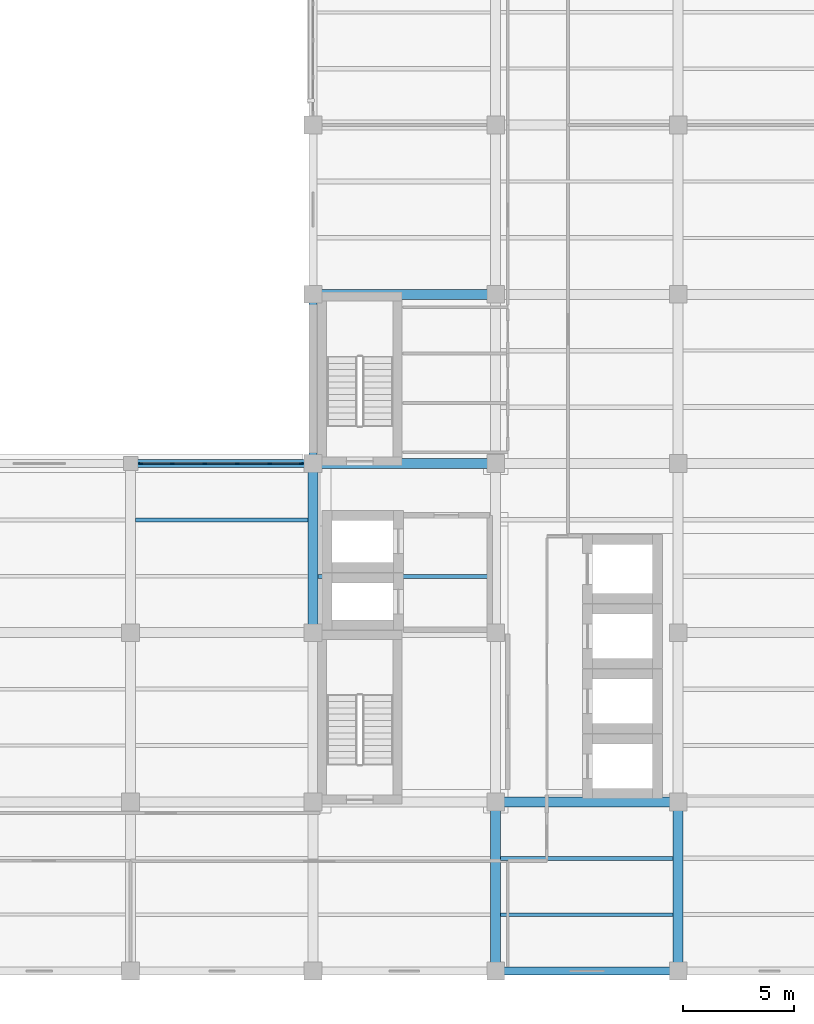
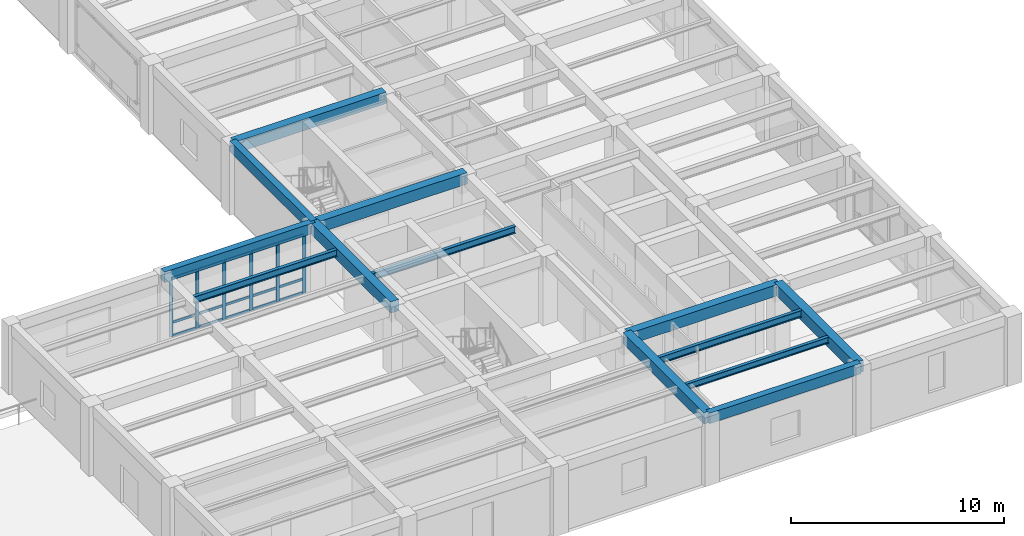
# One storey, part 2 of 14: 21 members, 13 beams, 1 element without a shape of its own.
"""IFC4 building model written with IfcOpenShell, lengths in metres."""

from ifc_helpers import new_model, si_unit, direction, frame, origin, origin_2d, place, context, subcontext, project, spatial, rectangle, i_section, extrude, material, material_profile, profile_set, type_object, element, aggregate, save


model = new_model("IFC4")

# Units and contexts
model_context = context("Model", 3, precision=1e-05, world=origin(), true_north=direction((0.0, 1.0)))
body_context = subcontext(model_context, "Body", "Model", "MODEL_VIEW")
ifc_project = project(units=[si_unit("LENGTHUNIT", "METRE"), si_unit("AREAUNIT", "SQUARE_METRE"), si_unit("VOLUMEUNIT", "CUBIC_METRE"), si_unit("PLANEANGLEUNIT", "RADIAN"), si_unit("MASSUNIT", "GRAM", prefix="KILO")], contexts=[model_context])

# Site, building, storey
site_placement = place(None, origin())
site = spatial("IfcSite", under=ifc_project, at=site_placement, CompositionType="ELEMENT")
building_placement = place(site_placement, origin())
building = spatial("IfcBuilding", under=site, at=building_placement, Name="Qandaris Square Conservatory and Botanical Centre", CompositionType="ELEMENT")
storey_placement = place(building_placement, frame((0.0, 0.0, 36.60009765625)))
storey = spatial("IfcBuildingStorey", under=building, at=storey_placement, Name="L08", CompositionType="ELEMENT", Elevation=36.60009765625)

# Beams
ifc_material_1 = material(Name="Steel S355", Category="steel")
ifc_material_profile_1 = material_profile(ifc_material_1, i_section(OverallWidth=0.169921875, OverallDepth=0.360107421875, WebThickness=0.008056640625, FlangeThickness=0.0126953125, FilletRadius=0.01806640625, at=origin_2d()), Name="IPE 360")
ifc_profile_set_1 = profile_set([ifc_material_profile_1], Name="Steel S355")
beam_type_1 = type_object("IfcBeamType", Name="Composite Lab Joist IPE 360", PredefinedType="JOIST", material=ifc_profile_set_1)
beam_1_placement = place(storey_placement, frame((147.625, 19.13330078125, 3.760009765625), z_axis=(1.0, 0.0, 0.0), x_axis=(0.0, 1.0, 0.0)))
element("IfcBeam", 1, at=beam_1_placement, inside=storey, type_object=beam_type_1, Name="L08 Composite Joist 2296", PredefinedType="JOIST", context=body_context, shape_type="SweptSolid", body=[
    extrude(i_section(OverallWidth=0.169921875, OverallDepth=0.360107421875, WebThickness=0.008056640625, FlangeThickness=0.0126953125, FilletRadius=0.01806640625, at=origin_2d()), origin(), (0.0, 0.0, 1.0), 7.75),
])
ifc_material_profile_2 = material_profile(ifc_material_1, i_section(OverallWidth=0.179931640625, OverallDepth=0.39990234375, WebThickness=0.008544921875, FlangeThickness=0.013427734375, FilletRadius=0.02099609375, at=origin_2d()), Name="IPE 400")
ifc_profile_set_2 = profile_set([ifc_material_profile_2], Name="Steel S355")
beam_type_2 = type_object("IfcBeamType", Name="Composite Plinth Joist IPE 400", PredefinedType="JOIST", material=ifc_profile_set_2)
for number, where, z_axis, x_axis, name in (
    (2, (131.22509765625, 36.86669921875, 3.739990234375), (1.0, 0.0, 0.0), (0.0, 1.0, 0.0), "L08 Composite Joist 2286"),
    (3, (139.425048828125, 34.333251953125, 3.739990234375), (1.0, 0.0, 0.0), (0.0, 1.0, 0.0), "L08 Composite Joist 2289"),
    (4, (147.625, 21.666748046875, 3.739990234375), (1.0, 0.0, 0.0), (0.0, 1.0, 0.0), "L08 Composite Joist 2297"),
):
    element("IfcBeam", number, at=place(storey_placement, frame(where, z_axis=z_axis, x_axis=x_axis)), inside=storey, type_object=beam_type_2, Name=name, PredefinedType="JOIST", context=body_context, shape_type="SweptSolid", body=[
        extrude(i_section(OverallWidth=0.179931640625, OverallDepth=0.39990234375, WebThickness=0.008544921875, FlangeThickness=0.013427734375, FilletRadius=0.02099609375, at=origin_2d()), origin(), (0.0, 0.0, 1.0), 7.75),
    ])

# Curtain wall, members
ifc_material_2 = material(Name="Anodised Aluminium", Category="aluminium")
curtain_wall_type = type_object("IfcCurtainWallType", Name="Unitised Curtain Wall CW-4-727x335", PredefinedType="USERDEFINED", material=ifc_material_2)
curtain_wall_placement = place(storey_placement, origin())
curtain_wall = element("IfcCurtainWall", 5, at=curtain_wall_placement, inside=storey, type_object=curtain_wall_type, Name="Curtain Wall CW-TWR-L08-5-1", ObjectType="GLAZED CURTAIN WALL", PredefinedType="USERDEFINED")
ifc_material_profile_3 = material_profile(ifc_material_2, rectangle(XDim=0.06494140625, YDim=0.179931640625, at=origin_2d()), Name="ALU-MUL 65x180")
ifc_profile_set_3 = profile_set([ifc_material_profile_3], Name="Anodised Aluminium")
member_type_1 = type_object("IfcMemberType", Name="Curtain Wall Mullion 65x180", PredefinedType="MULLION", material=ifc_profile_set_3)
member_1_placement = place(storey_placement, frame((138.66748046875, 39.39990234375, 0.0), z_axis=(0.0, 0.0, 1.0), x_axis=(0.0, -1.0, 0.0)))
member_1 = element("IfcMember", 6, at=member_1_placement, type_object=member_type_1, Name="CW-4-727x335 mullion 1", PredefinedType="MULLION", context=body_context, shape_type="SweptSolid", body=[
    extrude(rectangle(XDim=0.06494140625, YDim=0.179931640625, at=origin_2d()), origin(), (0.0, 0.0, 1.0), 3.349853515625),
])
member_2_placement = place(storey_placement, frame((137.2451171875, 39.39990234375, 0.0), z_axis=(0.0, 0.0, 1.0), x_axis=(0.0, -1.0, 0.0)))
member_2 = element("IfcMember", 7, at=member_2_placement, type_object=member_type_1, Name="CW-4-727x335 mullion 2", PredefinedType="MULLION", context=body_context, shape_type="SweptSolid", body=[
    extrude(rectangle(XDim=0.06494140625, YDim=0.179931640625, at=origin_2d()), origin(), (0.0, 0.0, 1.0), 3.349853515625),
])
member_3_placement = place(storey_placement, frame((135.7900390625, 39.39990234375, 0.0), z_axis=(0.0, 0.0, 1.0), x_axis=(0.0, -1.0, 0.0)))
member_3 = element("IfcMember", 8, at=member_3_placement, type_object=member_type_1, Name="CW-4-727x335 mullion 3", PredefinedType="MULLION", context=body_context, shape_type="SweptSolid", body=[
    extrude(rectangle(XDim=0.06494140625, YDim=0.179931640625, at=origin_2d()), origin(), (0.0, 0.0, 1.0), 3.349853515625),
])
member_4_placement = place(storey_placement, frame((134.3349609375, 39.39990234375, 0.0), z_axis=(0.0, 0.0, 1.0), x_axis=(0.0, -1.0, 0.0)))
member_4 = element("IfcMember", 9, at=member_4_placement, type_object=member_type_1, Name="CW-4-727x335 mullion 4", PredefinedType="MULLION", context=body_context, shape_type="SweptSolid", body=[
    extrude(rectangle(XDim=0.06494140625, YDim=0.179931640625, at=origin_2d()), origin(), (0.0, 0.0, 1.0), 3.349853515625),
])
member_5_placement = place(storey_placement, frame((132.8798828125, 39.39990234375, 0.0), z_axis=(0.0, 0.0, 1.0), x_axis=(0.0, -1.0, 0.0)))
member_5 = element("IfcMember", 10, at=member_5_placement, type_object=member_type_1, Name="CW-4-727x335 mullion 5", PredefinedType="MULLION", context=body_context, shape_type="SweptSolid", body=[
    extrude(rectangle(XDim=0.06494140625, YDim=0.179931640625, at=origin_2d()), origin(), (0.0, 0.0, 1.0), 3.349853515625),
])
member_6_placement = place(storey_placement, frame((131.45751953125, 39.39990234375, 0.0), z_axis=(0.0, 0.0, 1.0), x_axis=(0.0, -1.0, 0.0)))
member_6 = element("IfcMember", 11, at=member_6_placement, type_object=member_type_1, Name="CW-4-727x335 mullion 6", PredefinedType="MULLION", context=body_context, shape_type="SweptSolid", body=[
    extrude(rectangle(XDim=0.06494140625, YDim=0.179931640625, at=origin_2d()), origin(), (0.0, 0.0, 1.0), 3.349853515625),
])
ifc_material_profile_4 = material_profile(ifc_material_2, rectangle(XDim=0.06494140625, YDim=0.139892578125, at=origin_2d()), Name="ALU-TRN 65x140")
ifc_profile_set_4 = profile_set([ifc_material_profile_4], Name="Anodised Aluminium")
member_type_2 = type_object("IfcMemberType", Name="Curtain Wall Transom 65x140", PredefinedType="USERDEFINED", material=ifc_profile_set_4)
member_7_placement = place(storey_placement, frame((138.635009765625, 39.39990234375, 0.032470703125), z_axis=(-1.0, 0.0, 0.0), x_axis=(0.0, -1.0, 0.0)))
member_7 = element("IfcMember", 12, at=member_7_placement, type_object=member_type_2, Name="CW-4-727x335 transom 1.1", ObjectType="TRANSOM", PredefinedType="USERDEFINED", context=body_context, shape_type="SweptSolid", body=[
    extrude(rectangle(XDim=0.06494140625, YDim=0.139892578125, at=origin_2d()), origin(), (0.0, 0.0, 1.0), 1.357421875),
])
member_8_placement = place(storey_placement, frame((138.635009765625, 39.39990234375, 0.803955078125), z_axis=(-1.0, 0.0, 0.0), x_axis=(0.0, -1.0, 0.0)))
member_8 = element("IfcMember", 13, at=member_8_placement, type_object=member_type_2, Name="CW-4-727x335 transom 1.2", ObjectType="TRANSOM", PredefinedType="USERDEFINED", context=body_context, shape_type="SweptSolid", body=[
    extrude(rectangle(XDim=0.06494140625, YDim=0.139892578125, at=origin_2d()), origin(), (0.0, 0.0, 1.0), 1.357421875),
])
member_9_placement = place(storey_placement, frame((138.635009765625, 39.39990234375, 3.3173828125), z_axis=(-1.0, 0.0, 0.0), x_axis=(0.0, -1.0, 0.0)))
member_9 = element("IfcMember", 14, at=member_9_placement, type_object=member_type_2, Name="CW-4-727x335 transom 1.3", ObjectType="TRANSOM", PredefinedType="USERDEFINED", context=body_context, shape_type="SweptSolid", body=[
    extrude(rectangle(XDim=0.06494140625, YDim=0.139892578125, at=origin_2d()), origin(), (0.0, 0.0, 1.0), 1.357421875),
])
member_10_placement = place(storey_placement, frame((137.21240234375, 39.39990234375, 0.032470703125), z_axis=(-1.0, 0.0, 0.0), x_axis=(0.0, -1.0, 0.0)))
member_10 = element("IfcMember", 15, at=member_10_placement, type_object=member_type_2, Name="CW-4-727x335 transom 2.1", ObjectType="TRANSOM", PredefinedType="USERDEFINED", context=body_context, shape_type="SweptSolid", body=[
    extrude(rectangle(XDim=0.06494140625, YDim=0.139892578125, at=origin_2d()), origin(), (0.0, 0.0, 1.0), 1.389892578125),
])
member_11_placement = place(storey_placement, frame((137.21240234375, 39.39990234375, 0.803955078125), z_axis=(-1.0, 0.0, 0.0), x_axis=(0.0, -1.0, 0.0)))
member_11 = element("IfcMember", 16, at=member_11_placement, type_object=member_type_2, Name="CW-4-727x335 transom 2.2", ObjectType="TRANSOM", PredefinedType="USERDEFINED", context=body_context, shape_type="SweptSolid", body=[
    extrude(rectangle(XDim=0.06494140625, YDim=0.139892578125, at=origin_2d()), origin(), (0.0, 0.0, 1.0), 1.389892578125),
])
member_12_placement = place(storey_placement, frame((137.21240234375, 39.39990234375, 3.3173828125), z_axis=(-1.0, 0.0, 0.0), x_axis=(0.0, -1.0, 0.0)))
member_12 = element("IfcMember", 17, at=member_12_placement, type_object=member_type_2, Name="CW-4-727x335 transom 2.3", ObjectType="TRANSOM", PredefinedType="USERDEFINED", context=body_context, shape_type="SweptSolid", body=[
    extrude(rectangle(XDim=0.06494140625, YDim=0.139892578125, at=origin_2d()), origin(), (0.0, 0.0, 1.0), 1.389892578125),
])
member_13_placement = place(storey_placement, frame((135.757568359375, 39.39990234375, 0.032470703125), z_axis=(-1.0, 0.0, 0.0), x_axis=(0.0, -1.0, 0.0)))
member_13 = element("IfcMember", 18, at=member_13_placement, type_object=member_type_2, Name="CW-4-727x335 transom 3.1", ObjectType="TRANSOM", PredefinedType="USERDEFINED", context=body_context, shape_type="SweptSolid", body=[
    extrude(rectangle(XDim=0.06494140625, YDim=0.139892578125, at=origin_2d()), origin(), (0.0, 0.0, 1.0), 1.39013671875),
])
member_14_placement = place(storey_placement, frame((135.757568359375, 39.39990234375, 0.803955078125), z_axis=(-1.0, 0.0, 0.0), x_axis=(0.0, -1.0, 0.0)))
member_14 = element("IfcMember", 19, at=member_14_placement, type_object=member_type_2, Name="CW-4-727x335 transom 3.2", ObjectType="TRANSOM", PredefinedType="USERDEFINED", context=body_context, shape_type="SweptSolid", body=[
    extrude(rectangle(XDim=0.06494140625, YDim=0.139892578125, at=origin_2d()), origin(), (0.0, 0.0, 1.0), 1.39013671875),
])
member_15_placement = place(storey_placement, frame((135.757568359375, 39.39990234375, 3.3173828125), z_axis=(-1.0, 0.0, 0.0), x_axis=(0.0, -1.0, 0.0)))
member_15 = element("IfcMember", 20, at=member_15_placement, type_object=member_type_2, Name="CW-4-727x335 transom 3.3", ObjectType="TRANSOM", PredefinedType="USERDEFINED", context=body_context, shape_type="SweptSolid", body=[
    extrude(rectangle(XDim=0.06494140625, YDim=0.139892578125, at=origin_2d()), origin(), (0.0, 0.0, 1.0), 1.39013671875),
])
member_16_placement = place(storey_placement, frame((134.302490234375, 39.39990234375, 0.032470703125), z_axis=(-1.0, 0.0, 0.0), x_axis=(0.0, -1.0, 0.0)))
member_16 = element("IfcMember", 21, at=member_16_placement, type_object=member_type_2, Name="CW-4-727x335 transom 4.1", ObjectType="TRANSOM", PredefinedType="USERDEFINED", context=body_context, shape_type="SweptSolid", body=[
    extrude(rectangle(XDim=0.06494140625, YDim=0.139892578125, at=origin_2d()), origin(), (0.0, 0.0, 1.0), 1.389892578125),
])
member_17_placement = place(storey_placement, frame((134.302490234375, 39.39990234375, 0.803955078125), z_axis=(-1.0, 0.0, 0.0), x_axis=(0.0, -1.0, 0.0)))
member_17 = element("IfcMember", 22, at=member_17_placement, type_object=member_type_2, Name="CW-4-727x335 transom 4.2", ObjectType="TRANSOM", PredefinedType="USERDEFINED", context=body_context, shape_type="SweptSolid", body=[
    extrude(rectangle(XDim=0.06494140625, YDim=0.139892578125, at=origin_2d()), origin(), (0.0, 0.0, 1.0), 1.389892578125),
])
member_18_placement = place(storey_placement, frame((134.302490234375, 39.39990234375, 3.3173828125), z_axis=(-1.0, 0.0, 0.0), x_axis=(0.0, -1.0, 0.0)))
member_18 = element("IfcMember", 23, at=member_18_placement, type_object=member_type_2, Name="CW-4-727x335 transom 4.3", ObjectType="TRANSOM", PredefinedType="USERDEFINED", context=body_context, shape_type="SweptSolid", body=[
    extrude(rectangle(XDim=0.06494140625, YDim=0.139892578125, at=origin_2d()), origin(), (0.0, 0.0, 1.0), 1.389892578125),
])
member_19_placement = place(storey_placement, frame((132.847412109375, 39.39990234375, 0.032470703125), z_axis=(-1.0, 0.0, 0.0), x_axis=(0.0, -1.0, 0.0)))
member_19 = element("IfcMember", 24, at=member_19_placement, type_object=member_type_2, Name="CW-4-727x335 transom 5.1", ObjectType="TRANSOM", PredefinedType="USERDEFINED", context=body_context, shape_type="SweptSolid", body=[
    extrude(rectangle(XDim=0.06494140625, YDim=0.139892578125, at=origin_2d()), origin(), (0.0, 0.0, 1.0), 1.357421875),
])
member_20_placement = place(storey_placement, frame((132.847412109375, 39.39990234375, 0.803955078125), z_axis=(-1.0, 0.0, 0.0), x_axis=(0.0, -1.0, 0.0)))
member_20 = element("IfcMember", 25, at=member_20_placement, type_object=member_type_2, Name="CW-4-727x335 transom 5.2", ObjectType="TRANSOM", PredefinedType="USERDEFINED", context=body_context, shape_type="SweptSolid", body=[
    extrude(rectangle(XDim=0.06494140625, YDim=0.139892578125, at=origin_2d()), origin(), (0.0, 0.0, 1.0), 1.357421875),
])
member_21_placement = place(storey_placement, frame((132.847412109375, 39.39990234375, 3.3173828125), z_axis=(-1.0, 0.0, 0.0), x_axis=(0.0, -1.0, 0.0)))
member_21 = element("IfcMember", 26, at=member_21_placement, type_object=member_type_2, Name="CW-4-727x335 transom 5.3", ObjectType="TRANSOM", PredefinedType="USERDEFINED", context=body_context, shape_type="SweptSolid", body=[
    extrude(rectangle(XDim=0.06494140625, YDim=0.139892578125, at=origin_2d()), origin(), (0.0, 0.0, 1.0), 1.357421875),
])
aggregate(curtain_wall, [member_1, member_2, member_3, member_4, member_5, member_6, member_7, member_8, member_9, member_10, member_11, member_12, member_13, member_14, member_15, member_16, member_17, member_18, member_19, member_20, member_21])

# Beams
ifc_material_3 = material(Name="Concrete C50/60", Category="concrete")
ifc_material_profile_5 = material_profile(ifc_material_3, rectangle(XDim=0.35009765625, YDim=0.60009765625, at=origin_2d()), Name="RC-SP 350x600")
ifc_profile_set_5 = profile_set([ifc_material_profile_5], Name="Concrete C50/60")
beam_type_3 = type_object("IfcBeamType", Name="RC Edge Spandrel Beam 350x600", PredefinedType="SPANDREL", material=ifc_profile_set_5)
beam_2_placement = place(storey_placement, frame((147.39990234375, 16.60009765625, 3.64990234375), z_axis=(1.0, 0.0, 0.0), x_axis=(0.0, 1.0, 0.0)))
element("IfcBeam", 27, at=beam_2_placement, inside=storey, type_object=beam_type_3, Name="L08 Frame Beam 2213", PredefinedType="SPANDREL", context=body_context, shape_type="SweptSolid", body=[
    extrude(rectangle(XDim=0.35009765625, YDim=0.60009765625, at=origin_2d()), origin(), (0.0, 0.0, 1.0), 8.2001953125),
])
beam_3_placement = place(storey_placement, frame((131.0, 39.39990234375, 3.64990234375), z_axis=(1.0, 0.0, 0.0), x_axis=(0.0, 1.0, 0.0)))
element("IfcBeam", 28, at=beam_3_placement, inside=storey, type_object=beam_type_3, Name="L08 Frame Beam 2225", PredefinedType="SPANDREL", context=body_context, shape_type="SweptSolid", body=[
    extrude(rectangle(XDim=0.35009765625, YDim=0.60009765625, at=origin_2d()), origin(), (0.0, 0.0, 1.0), 8.199951171875),
])
beam_4_placement = place(storey_placement, frame((139.199951171875, 39.39990234375, 3.64990234375), z_axis=(0.0, 1.0, 0.0), x_axis=(-1.0, 0.0, 0.0)))
element("IfcBeam", 29, at=beam_4_placement, inside=storey, type_object=beam_type_3, Name="L08 Frame Beam 2250", PredefinedType="SPANDREL", context=body_context, shape_type="SweptSolid", body=[
    extrude(rectangle(XDim=0.35009765625, YDim=0.60009765625, at=origin_2d()), origin(), (0.0, 0.0, 1.0), 7.60009765625),
])
ifc_material_profile_6 = material_profile(ifc_material_3, rectangle(XDim=0.449951171875, YDim=0.64990234375, at=origin_2d()), Name="RC-BM 450x650")
ifc_profile_set_6 = profile_set([ifc_material_profile_6], Name="Concrete C50/60")
beam_type_4 = type_object("IfcBeamType", Name="RC Floor Girder 450x650", PredefinedType="BEAM", material=ifc_profile_set_6)
beam_5_placement = place(storey_placement, frame((147.39990234375, 24.199951171875, 3.625), z_axis=(1.0, 0.0, 0.0), x_axis=(0.0, 1.0, 0.0)))
element("IfcBeam", 30, at=beam_5_placement, inside=storey, type_object=beam_type_4, Name="L08 Frame Beam 2218", PredefinedType="BEAM", context=body_context, shape_type="SweptSolid", body=[
    extrude(rectangle(XDim=0.449951171875, YDim=0.64990234375, at=origin_2d()), origin(), (0.0, 0.0, 1.0), 8.2001953125),
])
for number, where, z_axis, x_axis, name in (
    (31, (139.199951171875, 39.39990234375, 3.625), (1.0, 0.0, 0.0), (0.0, 1.0, 0.0), "L08 Frame Beam 2226"),
    (32, (139.199951171875, 47.0, 3.625), (1.0, 0.0, 0.0), (0.0, 1.0, 0.0), "L08 Frame Beam 2229"),
):
    element("IfcBeam", number, at=place(storey_placement, frame(where, z_axis=z_axis, x_axis=x_axis)), inside=storey, type_object=beam_type_4, Name=name, PredefinedType="BEAM", context=body_context, shape_type="SweptSolid", body=[
        extrude(rectangle(XDim=0.449951171875, YDim=0.64990234375, at=origin_2d()), origin(), (0.0, 0.0, 1.0), 8.199951171875),
    ])
for number, where, z_axis, x_axis, name in (
    (33, (139.199951171875, 31.800048828125, 3.625), (0.0, 1.0, 0.0), (-1.0, 0.0, 0.0), "L08 Frame Beam 2249"),
    (34, (147.39990234375, 16.60009765625, 3.625), (0.0, 1.0, 0.0), (-1.0, 0.0, 0.0), "L08 Frame Beam 2254"),
    (35, (155.60009765625, 16.60009765625, 3.625), (0.0, 1.0, 0.0), (-1.0, 0.0, 0.0), "L08 Frame Beam 2261"),
):
    element("IfcBeam", number, at=place(storey_placement, frame(where, z_axis=z_axis, x_axis=x_axis)), inside=storey, type_object=beam_type_4, Name=name, PredefinedType="BEAM", context=body_context, shape_type="SweptSolid", body=[
        extrude(rectangle(XDim=0.449951171875, YDim=0.64990234375, at=origin_2d()), origin(), (0.0, 0.0, 1.0), 7.599853515625),
    ])

save(model, "model.ifc")
